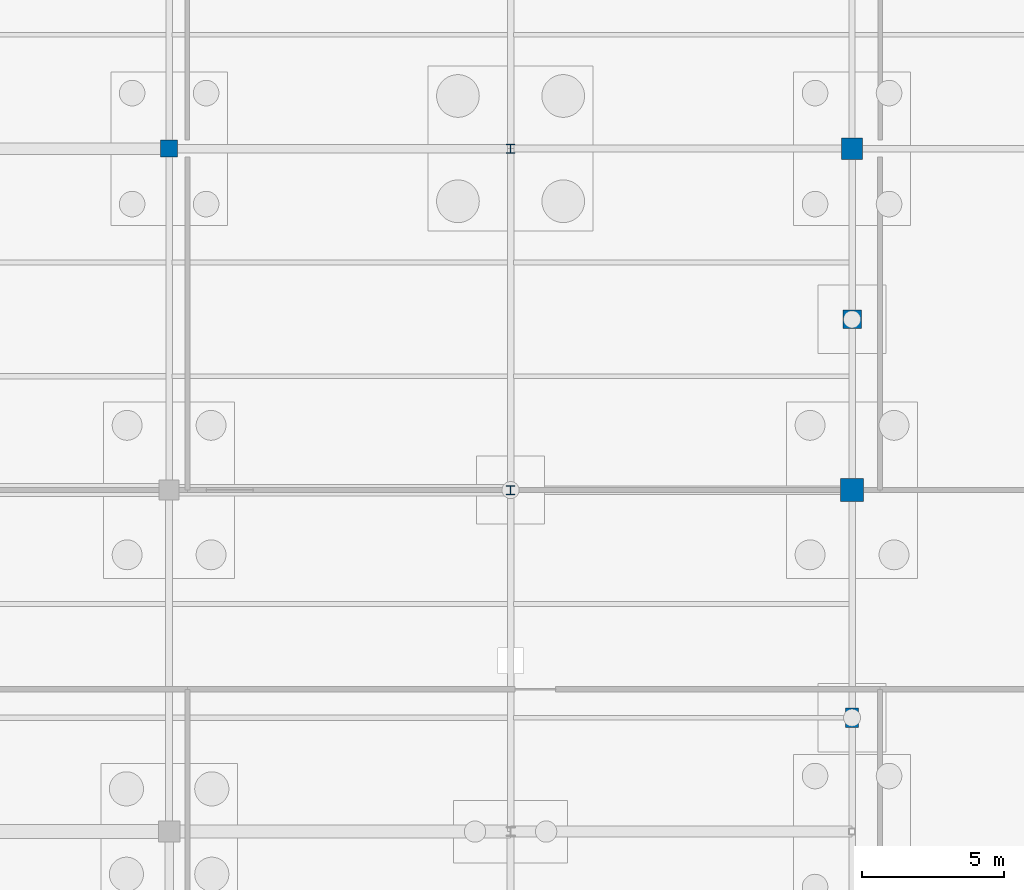
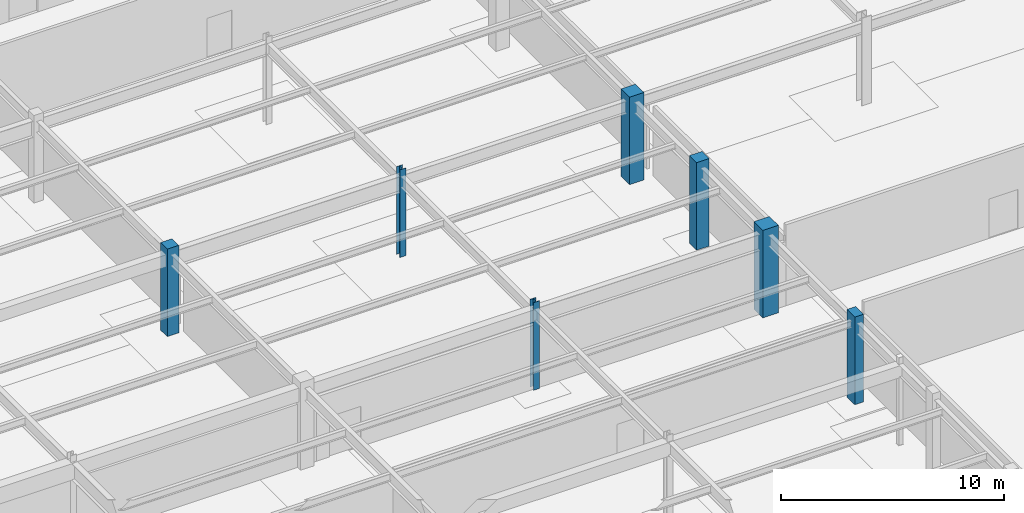
# One storey, part 35 of 136: 7 columns.
"""IFC4 building model written with IfcOpenShell, lengths in metres."""

from ifc_helpers import new_model, si_unit, direction, frame, origin, origin_2d, place, context, subcontext, project, spatial, rectangle, i_section, extrude, material, material_profile, profile_set, type_object, element, save


model = new_model("IFC4")

# Units and contexts
model_context = context("Model", 3, precision=1e-05, world=origin(), true_north=direction((0.0, 1.0)))
body_context = subcontext(model_context, "Body", "Model", "MODEL_VIEW")
ifc_project = project(units=[si_unit("LENGTHUNIT", "METRE"), si_unit("AREAUNIT", "SQUARE_METRE"), si_unit("VOLUMEUNIT", "CUBIC_METRE"), si_unit("PLANEANGLEUNIT", "RADIAN"), si_unit("MASSUNIT", "GRAM", prefix="KILO")], contexts=[model_context])

# Site, building, storey
site_placement = place(None, origin())
site = spatial("IfcSite", under=ifc_project, at=site_placement, CompositionType="ELEMENT")
building_placement = place(site_placement, origin())
building = spatial("IfcBuilding", under=site, at=building_placement, Name="Tarnwether General Hospital", CompositionType="ELEMENT")
storey_placement = place(building_placement, frame((0.0, 0.0, -4.800048828125)))
storey = spatial("IfcBuildingStorey", under=building, at=storey_placement, Name="LG", CompositionType="ELEMENT", Elevation=-4.800048828125)

# Columns
ifc_material_1 = material(Name="Steel Grade 350 (350 MPa)", Category="steel")
ifc_material_profile_1 = material_profile(ifc_material_1, i_section(OverallWidth=0.30908203125, OverallDepth=0.321044921875, WebThickness=0.013916015625, FlangeThickness=0.021728515625, at=origin_2d()), Name="310UC137")
ifc_profile_set_1 = profile_set([ifc_material_profile_1], Name="Steel Grade 350 (350 MPa)")
column_type_1 = type_object("IfcColumnType", Name="COL-06", PredefinedType="COLUMN", material=ifc_profile_set_1)
column_1_placement = place(storey_placement, frame((96.0, 69.60009765625, 0.0), z_axis=(0.0, 0.0, 1.0), x_axis=(1.0, 0.0, 0.0)))
element("IfcColumn", 1, at=column_1_placement, inside=storey, type_object=column_type_1, Name="Column COLG-LG-9600_6960", PredefinedType="COLUMN", context=body_context, shape_type="SweptSolid", body=[
    extrude(i_section(OverallWidth=0.30908203125, OverallDepth=0.321044921875, WebThickness=0.013916015625, FlangeThickness=0.021728515625, at=origin_2d()), origin(), (0.0, 0.0, 1.0), 4.800048828125),
])
ifc_material_2 = material(Name="Steel Grade 350 (350 MPa)", Category="steel")
ifc_material_profile_2 = material_profile(ifc_material_2, i_section(OverallWidth=0.306884765625, OverallDepth=0.31494140625, WebThickness=0.011962890625, FlangeThickness=0.018798828125, at=origin_2d()), Name="310UC118")
ifc_profile_set_2 = profile_set([ifc_material_profile_2], Name="Steel Grade 350 (350 MPa)")
column_type_2 = type_object("IfcColumnType", Name="COL-07", PredefinedType="COLUMN", material=ifc_profile_set_2)
column_2_placement = place(storey_placement, frame((96.0, 81.60009765625, 0.0), z_axis=(0.0, 0.0, 1.0), x_axis=(1.0, 0.0, 0.0)))
element("IfcColumn", 2, at=column_2_placement, inside=storey, type_object=column_type_2, Name="Column COLG-LG-9600_8160", PredefinedType="COLUMN", context=body_context, shape_type="SweptSolid", body=[
    extrude(i_section(OverallWidth=0.306884765625, OverallDepth=0.31494140625, WebThickness=0.011962890625, FlangeThickness=0.018798828125, at=origin_2d()), origin(), (0.0, 0.0, 1.0), 4.800048828125),
])
ifc_material_3 = material(Name="Concrete 50 MPa", Category="concrete")
ifc_material_profile_3 = material_profile(ifc_material_3, rectangle(XDim=0.800048828125, YDim=0.800048828125, at=origin_2d()), Name="RC-COL-800x800")
ifc_profile_set_3 = profile_set([ifc_material_profile_3], Name="Concrete 50 MPa")
column_type_3 = type_object("IfcColumnType", Name="COL-16", PredefinedType="COLUMN", material=ifc_profile_set_3)
column_3_placement = place(storey_placement, frame((108.0, 69.60009765625, 0.0), z_axis=(0.0, 0.0, 1.0), x_axis=(0.0, 1.0, 0.0)))
element("IfcColumn", 3, at=column_3_placement, inside=storey, type_object=column_type_3, Name="Column COLG-LG-10800_6960", PredefinedType="COLUMN", context=body_context, shape_type="SweptSolid", body=[
    extrude(rectangle(XDim=0.800048828125, YDim=0.800048828125, at=origin_2d()), origin(), (0.0, 0.0, 1.0), 4.800048828125),
])
ifc_material_4 = material(Name="Concrete 50 MPa", Category="concrete")
ifc_material_profile_4 = material_profile(ifc_material_4, rectangle(XDim=0.75, YDim=0.75, at=origin_2d()), Name="RC-COL-750x750")
ifc_profile_set_4 = profile_set([ifc_material_profile_4], Name="Concrete 50 MPa")
column_type_4 = type_object("IfcColumnType", Name="COL-17", PredefinedType="COLUMN", material=ifc_profile_set_4)
column_4_placement = place(storey_placement, frame((108.0, 81.60009765625, 0.0), z_axis=(0.0, 0.0, 1.0), x_axis=(0.0, 1.0, 0.0)))
element("IfcColumn", 4, at=column_4_placement, inside=storey, type_object=column_type_4, Name="Column COLG-LG-10800_8160", PredefinedType="COLUMN", context=body_context, shape_type="SweptSolid", body=[
    extrude(rectangle(XDim=0.75, YDim=0.75, at=origin_2d()), origin(), (0.0, 0.0, 1.0), 4.800048828125),
])
ifc_material_5 = material(Name="Concrete 50 MPa", Category="concrete")
ifc_material_profile_5 = material_profile(ifc_material_5, rectangle(XDim=0.60009765625, YDim=0.60009765625, at=origin_2d()), Name="RC-COL-600x600")
ifc_profile_set_5 = profile_set([ifc_material_profile_5], Name="Concrete 50 MPa")
column_type_5 = type_object("IfcColumnType", Name="COL-19", PredefinedType="COLUMN", material=ifc_profile_set_5)
column_5_placement = place(storey_placement, frame((84.0, 81.60009765625, 0.0), z_axis=(0.0, 0.0, 1.0), x_axis=(0.0, 1.0, 0.0)))
element("IfcColumn", 5, at=column_5_placement, inside=storey, type_object=column_type_5, Name="Column COLG-LG-8400_8160", PredefinedType="COLUMN", context=body_context, shape_type="SweptSolid", body=[
    extrude(rectangle(XDim=0.60009765625, YDim=0.60009765625, at=origin_2d()), origin(), (0.0, 0.0, 1.0), 4.800048828125),
])
ifc_material_6 = material(Name="Concrete 50 MPa", Category="concrete")
ifc_material_profile_6 = material_profile(ifc_material_6, rectangle(XDim=0.449951171875, YDim=0.699951171875, at=origin_2d()), Name="RC-PIL-450x700")
ifc_profile_set_6 = profile_set([ifc_material_profile_6], Name="Concrete 50 MPa")
column_type_6 = type_object("IfcColumnType", Name="COL-22", PredefinedType="PILASTER", material=ifc_profile_set_6)
column_6_placement = place(storey_placement, frame((108.0, 61.60009765625, 0.0), z_axis=(0.0, 0.0, 1.0), x_axis=(1.0, 0.0, 0.0)))
element("IfcColumn", 6, at=column_6_placement, inside=storey, type_object=column_type_6, Name="Column COLG-LG-10800_6160", PredefinedType="PILASTER", context=body_context, shape_type="SweptSolid", body=[
    extrude(rectangle(XDim=0.449951171875, YDim=0.699951171875, at=origin_2d()), origin(), (0.0, 0.0, 1.0), 4.800048828125),
])
ifc_material_7 = material(Name="Concrete 50 MPa", Category="concrete")
ifc_material_profile_7 = material_profile(ifc_material_7, rectangle(XDim=0.64990234375, YDim=0.64990234375, at=origin_2d()), Name="RC-COL-650x650")
ifc_profile_set_7 = profile_set([ifc_material_profile_7], Name="Concrete 50 MPa")
column_type_7 = type_object("IfcColumnType", Name="COL-35", PredefinedType="COLUMN", material=ifc_profile_set_7)
column_7_placement = place(storey_placement, frame((108.0, 75.60009765625, 0.0), z_axis=(0.0, 0.0, 1.0), x_axis=(1.0, 0.0, 0.0)))
element("IfcColumn", 7, at=column_7_placement, inside=storey, type_object=column_type_7, Name="Column COLG-LG-10800_7560", PredefinedType="COLUMN", context=body_context, shape_type="SweptSolid", body=[
    extrude(rectangle(XDim=0.64990234375, YDim=0.64990234375, at=origin_2d()), origin(), (0.0, 0.0, 1.0), 4.800048828125),
])

save(model, "model.ifc")
